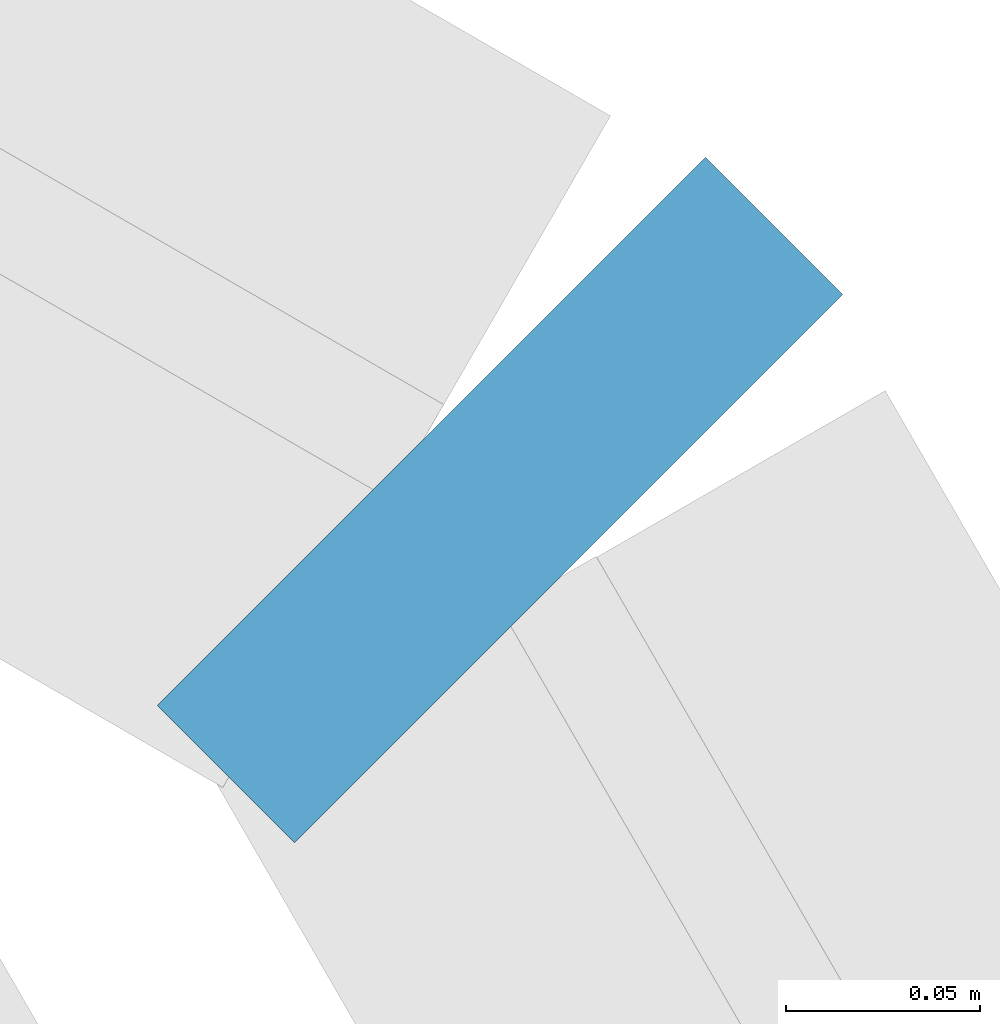
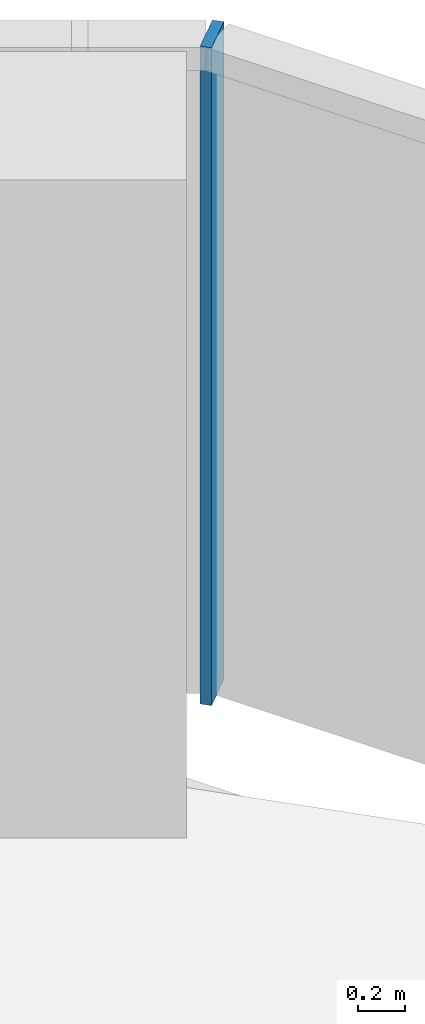
# One storey, part 7 of 18: 1 member, 1 element without a shape of its own.
"""IFC4 building model written with IfcOpenShell, lengths in metres."""

from ifc_helpers import new_model, si_unit, direction, frame, origin, origin_2d, place, context, subcontext, project, spatial, rectangle, extrude, material, layer, layer_set, material_profile, profile_set, type_object, element, aggregate, save


model = new_model("IFC4")

# Units and contexts
model_context = context("Model", 3, precision=1e-05, world=origin(), true_north=direction((0.0, 1.0)))
body_context = subcontext(model_context, "Body", "Model", "MODEL_VIEW")
ifc_project = project(units=[si_unit("LENGTHUNIT", "METRE"), si_unit("AREAUNIT", "SQUARE_METRE"), si_unit("VOLUMEUNIT", "CUBIC_METRE"), si_unit("PLANEANGLEUNIT", "RADIAN"), si_unit("MASSUNIT", "GRAM", prefix="KILO")], contexts=[model_context])

# Site, building, storey
site_placement = place(None, origin())
site = spatial("IfcSite", under=ifc_project, at=site_placement, CompositionType="ELEMENT")
building_placement = place(site_placement, origin())
building = spatial("IfcBuilding", under=site, at=building_placement, Name="Ayvan Gate Tower", CompositionType="ELEMENT")
storey_placement = place(building_placement, frame((0.0, 0.0, 166.300048828125)))
storey = spatial("IfcBuildingStorey", under=building, at=storey_placement, Name="L44", CompositionType="ELEMENT", Elevation=166.300048828125)

# Curtain wall, member
ifc_material = material(Name="Bronze anodised aluminium", Category="aluminium")
ifc_layer = layer(ifc_material, 0.199951171875)
ifc_layer_set = layer_set([ifc_layer], Name="Bronze anodised aluminium")
curtain_wall_type = type_object("IfcCurtainWallType", Name="Stick curtain wall CW-6", PredefinedType="NOTDEFINED", material=ifc_layer_set)
curtain_wall_placement = place(storey_placement, origin())
curtain_wall = element("IfcCurtainWall", 1, at=curtain_wall_placement, inside=storey, type_object=curtain_wall_type, Name="Stick curtain wall CW-6 L44", PredefinedType="NOTDEFINED")
ifc_material_profile = material_profile(ifc_material, rectangle(XDim=0.199951171875, YDim=0.050048828125, at=origin_2d()), Name="Stick curtain wall CW-6 mullion 200 x 50")
ifc_profile_set = profile_set([ifc_material_profile], Name="Bronze anodised aluminium")
member_type = type_object("IfcMemberType", Name="Stick curtain wall CW-6 mullion 200 x 50", PredefinedType="MULLION", material=ifc_profile_set)
member_placement = place(storey_placement, frame((17.494140625, 11.28955078125, 0.0), z_axis=(0.0, 0.0, 1.0), x_axis=(0.707106781187, 0.707106781187, 0.0)))
member = element("IfcMember", 2, at=member_placement, type_object=member_type, Name="CW-6 mullion 3", PredefinedType="MULLION", context=body_context, shape_type="SweptSolid", body=[
    extrude(rectangle(XDim=0.199951171875, YDim=0.050048828125, at=origin_2d()), origin(), (0.0, 0.0, 1.0), 3.39990234375),
])
aggregate(curtain_wall, [member])

save(model, "model.ifc")
